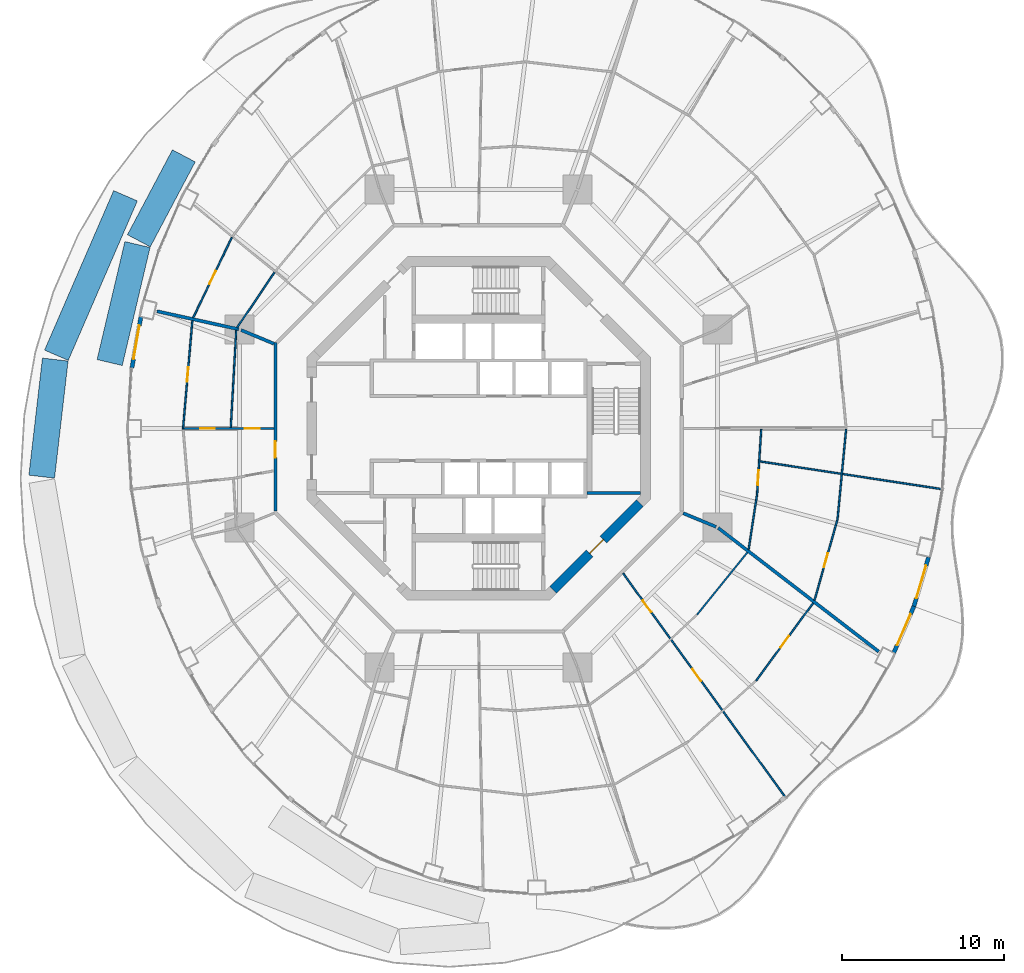
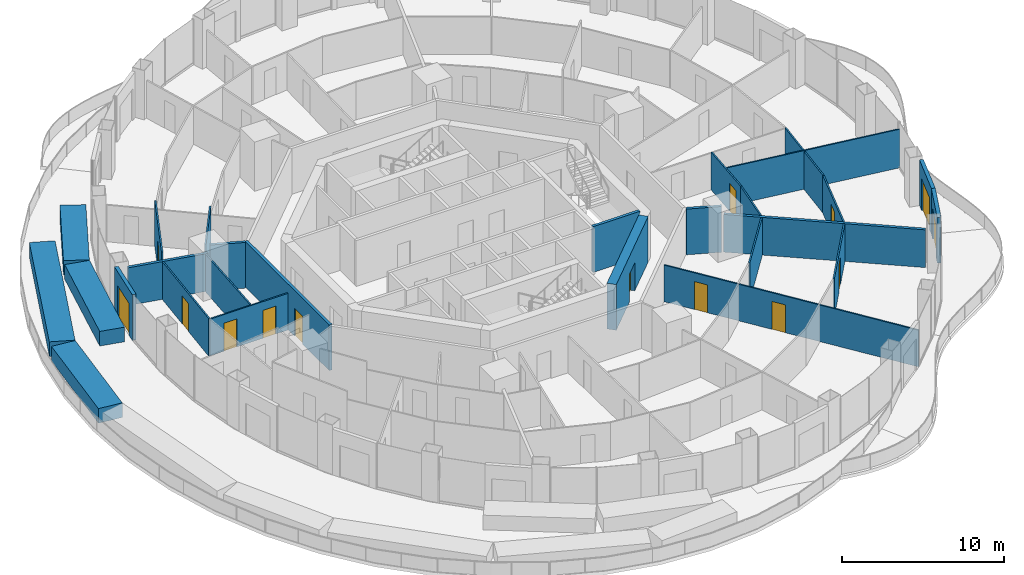
# One storey, part 14 of 20: 27 walls, 14 doors, 14 openings.
"""IFC4 building model written with IfcOpenShell, lengths in metres."""

import ifcopenshell
import ifcopenshell.guid

model = None  # the IFC model being written
_history = None  # IfcOwnerHistory: only IFC2X3 demands one
_inside = {}  # id of a spatial element -> (the spatial element, [elements in it])
_under = {}  # id of a project, library or spatial element -> (it, [spatial elements below it])
_declared = {}  # id of a project -> (the project, [libraries it declares])
_typed = {}  # id of a type object -> (the type object, [elements of that type])
_made_of = {}  # id of a material, layer set ... -> (it, [elements and type objects made of it])


def new_model(schema):
    """Start an empty IFC model of exactly this schema.

    Asked for "IFC4X3", IfcOpenShell would pick the latest addendum, in which some entities
    have other attributes; the version numbers below select the first issue.
    IFC2X3 requires an IfcOwnerHistory on every rooted entity: one is made here for all.
    """
    global model, _history
    if schema == "IFC4X3":
        model = ifcopenshell.file(schema_version=(4, 3, 0, 0))
    else:
        model = ifcopenshell.file(schema=schema)
    _inside.clear()
    _under.clear()
    _declared.clear()
    _typed.clear()
    _made_of.clear()
    _history = None
    if model.schema == "IFC2X3":
        org = make("IfcOrganization", Name="unknown")
        user = make(
            "IfcPersonAndOrganization",
            ThePerson=make("IfcPerson", FamilyName="unknown"),
            TheOrganization=org,
        )
        app = make(
            "IfcApplication",
            ApplicationDeveloper=org,
            Version="unknown",
            ApplicationFullName="unknown",
            ApplicationIdentifier="unknown",
        )
        _history = make(
            "IfcOwnerHistory",
            OwningUser=user,
            OwningApplication=app,
            ChangeAction="ADDED",
            CreationDate=0,
        )
    return model


def make(cls, **values):
    """One entity of the class cls with the attributes given. An attribute that is None is left unset."""
    return model.create_entity(
        cls, **{name: value for name, value in values.items() if value is not None}
    )


def rooted(cls, **values):
    """An entity with a GlobalId (a new one), such as an element, a storey or a relation."""
    return make(cls, GlobalId=ifcopenshell.guid.new(), OwnerHistory=_history, **values)


def si_unit(unit_type, name, prefix=None):
    """IfcSIUnit, for example si_unit("LENGTHUNIT", "METRE", prefix="MILLI")."""
    return make("IfcSIUnit", UnitType=unit_type, Prefix=prefix, Name=name)


def assignment(units):
    """IfcUnitAssignment: the units of a project."""
    return None if units is None else make("IfcUnitAssignment", Units=units)


def point(xyz):
    """IfcCartesianPoint."""
    return None if xyz is None else make("IfcCartesianPoint", Coordinates=xyz)


def direction(xyz):
    """IfcDirection."""
    return None if xyz is None else make("IfcDirection", DirectionRatios=xyz)


def frame(location, z_axis=None, x_axis=None):
    """IfcAxis2Placement3D, a coordinate frame: its origin and axes. An axis left out is left unset."""
    return make(
        "IfcAxis2Placement3D",
        Location=point(location),
        Axis=direction(z_axis),
        RefDirection=direction(x_axis),
    )


def frame_2d(location, x_axis=None):
    """IfcAxis2Placement2D, a coordinate frame in the plane: its origin and x axis."""
    return make(
        "IfcAxis2Placement2D", Location=point(location), RefDirection=direction(x_axis)
    )


def origin():
    """The frame at (0, 0, 0) with its axes left unset."""
    return frame((0.0, 0.0, 0.0))


def place(relative_to, where):
    """IfcLocalPlacement: puts the frame where relative to a parent placement (None: the world)."""
    return make(
        "IfcLocalPlacement", PlacementRelTo=relative_to, RelativePlacement=where
    )


def context(
    kind, dimensions, precision=None, world=None, true_north=None, identifier=None
):
    """IfcGeometricRepresentationContext, for example the 3D "Model" context."""
    return make(
        "IfcGeometricRepresentationContext",
        ContextIdentifier=identifier,
        ContextType=kind,
        CoordinateSpaceDimension=dimensions,
        Precision=precision,
        WorldCoordinateSystem=world,
        TrueNorth=true_north,
    )


def subcontext(parent, identifier, kind, view, scale=None):
    """IfcGeometricRepresentationSubContext, for example "Body" below "Model"."""
    return make(
        "IfcGeometricRepresentationSubContext",
        ContextIdentifier=identifier,
        ContextType=kind,
        ParentContext=parent,
        TargetScale=scale,
        TargetView=view,
    )


def project(units=None, contexts=None):
    """IfcProject with its units and contexts."""
    return rooted(
        "IfcProject",
        Name="project",
        RepresentationContexts=contexts,
        UnitsInContext=assignment(units),
    )


def spatial(cls, under=None, at=None, **own):
    """A site, building, storey or space (cls), placed at a placement, below another one or the project."""
    s = rooted(cls, ObjectPlacement=at, **own)
    if under is not None:
        _under.setdefault(under.id(), (under, []))[1].append(s)
    return s


def polyline(points):
    """IfcPolyline through the points."""
    return make("IfcPolyline", Points=[point(p) for p in points])


def profile(cls, at=None, kind="AREA", **sizes):
    """A parametric profile (cls). Its sizes go by their IFC names, for example OverallWidth=200.0."""
    return make(cls, ProfileType=kind, Position=at, **sizes)


def rectangle(**sizes):
    """IfcRectangleProfileDef."""
    return profile("IfcRectangleProfileDef", **sizes)


def outline(outer, holes=None, kind="AREA"):
    """IfcArbitraryClosedProfileDef: a profile drawn as a closed curve; with holes, ...WithVoids."""
    if holes is None:
        return make("IfcArbitraryClosedProfileDef", ProfileType=kind, OuterCurve=outer)
    return make(
        "IfcArbitraryProfileDefWithVoids",
        ProfileType=kind,
        OuterCurve=outer,
        InnerCurves=holes,
    )


def extrude(swept, where, along, depth):
    """IfcExtrudedAreaSolid: the profile swept, set in the frame where, extruded along a direction by depth."""
    return make(
        "IfcExtrudedAreaSolid",
        SweptArea=swept,
        Position=where,
        ExtrudedDirection=direction(along),
        Depth=depth,
    )


def shape(context_of_items, identifier, shape_type, items):
    """IfcShapeRepresentation: the items that make up one representation, for example the "Body"."""
    return make(
        "IfcShapeRepresentation",
        ContextOfItems=context_of_items,
        RepresentationIdentifier=identifier,
        RepresentationType=shape_type,
        Items=items,
    )


def material(Name=None, Category=None):
    """IfcMaterial."""
    return make("IfcMaterial", Name=Name, Category=Category)


def layer(
    of_material, thickness, ventilated=None, Name=None, Category=None, Priority=None
):
    """IfcMaterialLayer: one layer of a wall or slab, of a material (None: an air gap)."""
    return make(
        "IfcMaterialLayer",
        Material=of_material,
        LayerThickness=thickness,
        IsVentilated=ventilated,
        Name=Name,
        Category=Category,
        Priority=Priority,
    )


def layer_set(layers, Name=None):
    """IfcMaterialLayerSet."""
    return make("IfcMaterialLayerSet", MaterialLayers=layers, LayerSetName=Name)


def made_of(thing, what):
    """Note that an element or type object is made of a material, layer set ...; save() writes the relation."""
    if what is not None:
        _made_of.setdefault(what.id(), (what, []))[1].append(thing)
    return thing


def type_object(cls, material=None, **own):
    """A type object (cls), such as IfcWallType, which elements share."""
    return made_of(rooted(cls, **own), material)


def element(
    cls,
    number,
    at=None,
    inside=None,
    cuts=None,
    type_object=None,
    material=None,
    context=None,
    identifier="Body",
    shape_type=None,
    held_by="IfcProductDefinitionShape",
    body=None,
    shapes=None,
    **own,
):
    """One element of the class cls, such as IfcWall. Its Tag is "e" and its number.

    at: its placement. inside: the storey or other place that contains it. cuts: it is an
    opening in that element (IfcRelVoidsElement). A single representation is given by context,
    identifier, shape_type and body (its items); several are given by shapes. held_by: the class
    of the entity that holds the representations. save() writes the other relations.
    """
    e = rooted(cls, Tag="e%d" % number, ObjectPlacement=at, **own)
    if body is not None:
        shapes = [shape(context, identifier, shape_type, body)]
    if shapes is not None:
        e.Representation = make(held_by, Representations=shapes)
    if inside is not None:
        _inside.setdefault(inside.id(), (inside, []))[1].append(e)
    if cuts is not None:
        rooted(
            "IfcRelVoidsElement", RelatingBuildingElement=cuts, RelatedOpeningElement=e
        )
    if type_object is not None:
        _typed.setdefault(type_object.id(), (type_object, []))[1].append(e)
    return made_of(e, material)


def fill(opening, filler):
    """IfcRelFillsElement: the door or window that sits in an opening."""
    return rooted(
        "IfcRelFillsElement",
        RelatingOpeningElement=opening,
        RelatedBuildingElement=filler,
    )


def aggregate(whole, parts):
    """IfcRelAggregates: a whole, such as a stair, and the parts it consists of."""
    return rooted("IfcRelAggregates", RelatingObject=whole, RelatedObjects=parts)


def save(model, path):
    """Write the relations noted so far, then the file.

    IfcRelAggregates (storeys below a building ...), IfcRelContainedInSpatialStructure (elements
    in a storey), IfcRelDefinesByType, IfcRelAssociatesMaterial and IfcRelDeclares: one each for
    every whole, place, type object, material and project.
    """
    for whole, parts in _under.values():
        aggregate(whole, parts)
    for where, things in _inside.values():
        rooted(
            "IfcRelContainedInSpatialStructure",
            RelatedElements=things,
            RelatingStructure=where,
        )
    for kind, things in _typed.values():
        rooted("IfcRelDefinesByType", RelatedObjects=things, RelatingType=kind)
    for what, things in _made_of.values():
        rooted("IfcRelAssociatesMaterial", RelatedObjects=things, RelatingMaterial=what)
    for by, libraries in _declared.values():
        rooted("IfcRelDeclares", RelatingContext=by, RelatedDefinitions=libraries)
    model.write(path)


model = new_model("IFC4")

# Units and contexts
model_context = context("Model", 3, precision=1e-05, world=origin(), true_north=direction((0.0, 1.0)))
body_context = subcontext(model_context, "Body", "Model", "MODEL_VIEW")
ifc_project = project(units=[si_unit("LENGTHUNIT", "METRE"), si_unit("AREAUNIT", "SQUARE_METRE"), si_unit("VOLUMEUNIT", "CUBIC_METRE"), si_unit("PLANEANGLEUNIT", "RADIAN"), si_unit("MASSUNIT", "GRAM", prefix="KILO")], contexts=[model_context])

# Site, building, storey
site_placement = place(None, origin())
site = spatial("IfcSite", under=ifc_project, at=site_placement, CompositionType="ELEMENT")
building_placement = place(site_placement, origin())
building = spatial("IfcBuilding", under=site, at=building_placement, Name="Nagisa Residences", CompositionType="ELEMENT")
storey_placement = place(building_placement, frame((0.0, 0.0, 165.89990234375)))
storey = spatial("IfcBuildingStorey", under=building, at=storey_placement, Name="L41", CompositionType="ELEMENT", Elevation=165.89990234375)

# Walls
ifc_material_1 = material(Name="Gypsum board on steel studs", Category="steel")
ifc_layer_1 = layer(ifc_material_1, 0.199951171875)
ifc_layer_set_1 = layer_set([ifc_layer_1], Name="Apartment compartment wall EI60 200")
wall_type_1 = type_object("IfcWallType", Name="Apartment compartment wall EI60 200", PredefinedType="PARTITIONING", material=ifc_layer_set_1)
wall_1_placement = place(storey_placement, frame((-12.6572265625, 5.24267578125, 0.0), z_axis=(0.0, 0.0, 1.0), x_axis=(-0.923859888513, 0.38273085373, 0.0)))
element("IfcWall", 1, at=wall_1_placement, inside=storey, type_object=wall_type_1, Name="wall:L41:u02", PredefinedType="PARTITIONING", context=body_context, shape_type="SweptSolid", body=[
    extrude(rectangle(XDim=2.199462890625, YDim=0.199951171875, at=frame_2d((1.099609375, 0.0))), origin(), (0.0, 0.0, 1.0), 3.440185546875),
])
wall_2_placement = place(storey_placement, frame((-14.830810546875, 6.133544921875, 0.0), z_axis=(0.0, 0.0, 1.0), x_axis=(-0.976568396888, 0.215207263354, 0.0)))
element("IfcWall", 2, at=wall_2_placement, inside=storey, type_object=wall_type_1, Name="wall:L41:u03", PredefinedType="PARTITIONING", context=body_context, shape_type="SweptSolid", body=[
    extrude(rectangle(XDim=5.176513671875, YDim=0.199951171875, at=frame_2d((2.58837890625, 0.0))), origin(), (0.0, 0.0, 1.0), 2.837158203125),
])
wall_3_placement = place(storey_placement, frame((12.6572265625, -5.24267578125, 0.0), z_axis=(0.0, 0.0, 1.0), x_axis=(0.92383017907, -0.382802560388, 0.0)))
element("IfcWall", 3, at=wall_3_placement, inside=storey, type_object=wall_type_1, Name="wall:L41:u06", PredefinedType="PARTITIONING", context=body_context, shape_type="SweptSolid", body=[
    extrude(rectangle(XDim=2.2001953125, YDim=0.199951171875, at=frame_2d((1.10009765625, 0.0))), origin(), (0.0, 0.0, 1.0), 3.440185546875),
])
wall_4_placement = place(storey_placement, frame((14.82177734375, -6.153564453125, 0.0), z_axis=(0.0, 0.0, 1.0), x_axis=(0.792203056092, -0.610257583254, 0.0)))
element("IfcWall", 4, at=wall_4_placement, inside=storey, type_object=wall_type_1, Name="wall:L41:u07", PredefinedType="PARTITIONING", context=body_context, shape_type="SweptSolid", body=[
    extrude(rectangle(XDim=12.53271484375, YDim=0.199951171875, at=frame_2d((6.266357421875, 0.0))), origin(), (0.0, 0.0, 1.0), 2.837158203125),
])

# Wall, opening, door
ifc_material_2 = material(Name="Gypsum board on steel studs", Category="steel")
ifc_layer_2 = layer(ifc_material_2, 0.199951171875)
ifc_layer_set_2 = layer_set([ifc_layer_2], Name="Apartment entry wall EI60 200")
wall_type_2 = type_object("IfcWallType", Name="Apartment entry wall EI60 200", PredefinedType="PARTITIONING", material=ifc_layer_set_2)
wall_5_placement = place(storey_placement, frame((-12.564697265625, 5.304443359375, 0.0), z_axis=(0.0, 0.0, 1.0), x_axis=(0.0, -1.0, 0.0)))
wall_5 = element("IfcWall", 5, at=wall_5_placement, inside=storey, type_object=wall_type_2, Name="wall:L41:u12", PredefinedType="PARTITIONING", context=body_context, shape_type="SweptSolid", body=[
    extrude(rectangle(XDim=10.408935546875, YDim=0.199951171875, at=frame_2d((5.20458984375, 0.0))), origin(), (0.0, 0.0, 1.0), 3.440185546875),
])
opening_1_placement = place(wall_5_placement, frame((6.105712890625, 0.0, 0.0)))
opening_1 = element("IfcOpeningElement", 6, at=opening_1_placement, cuts=wall_5, Name="Opening L41-U28", PredefinedType="OPENING", context=body_context, shape_type="SweptSolid", body=[
    extrude(rectangle(XDim=1.0, YDim=2.10009765625, at=frame_2d((0.5, 1.050048828125))), frame((0.0, 0.10986328125, 0.0), z_axis=(0.0, -1.0, 0.0), x_axis=(1.0, 0.0, 0.0)), (0.0, 0.0, 1.0), 0.219970703125),
])
ifc_material_3 = material(Name="Timber fire door set", Category="wood")
door_type_1 = type_object("IfcDoorType", Name="Apartment entry door FD30S 1000x2100", OperationType="NOTDEFINED", PredefinedType="DOOR", material=ifc_material_3)
door_1_placement = place(opening_1_placement, frame((1.0, 0.0, 0.0), x_axis=(-1.0, 0.0, 0.0)))
door_1 = element("IfcDoor", 7, at=door_1_placement, inside=storey, type_object=door_type_1, Name="Entry door, Apartment 41C", OperationType="SINGLE_SWING_LEFT", OverallHeight=2.10009765625, OverallWidth=1.0, PredefinedType="DOOR", context=body_context, shape_type="SweptSolid", body=[
    extrude(rectangle(XDim=1.0, YDim=2.10009765625, at=frame_2d((0.5, 1.050048828125))), frame((0.0, 0.02490234375, 0.0), z_axis=(0.0, -1.0, 0.0), x_axis=(1.0, 0.0, 0.0)), (0.0, 0.0, 1.0), 0.050048828125),
])
fill(opening_1, door_1)

ifc_material_4 = material(Name="Gypsum board on steel studs", Category="steel")
ifc_layer_3 = layer(ifc_material_4, 0.10009765625)
ifc_layer_set_3 = layer_set([ifc_layer_3], Name="Apartment partition 100")
wall_type_3 = type_object("IfcWallType", Name="Apartment partition 100", PredefinedType="PARTITIONING", material=ifc_layer_set_3)
wall_6_placement = place(storey_placement, frame((17.484619140625, -0.0498046875, 0.0), z_axis=(0.0, 0.0, 1.0), x_axis=(-0.063673473968, -0.997970785501, 0.0)))
wall_6 = element("IfcWall", 8, at=wall_6_placement, inside=storey, type_object=wall_type_3, Name="wall:L41:u17", PredefinedType="PARTITIONING", context=body_context, shape_type="SweptSolid", body=[
    extrude(rectangle(XDim=4.072021484375, YDim=0.10009765625, at=frame_2d((2.0361328125, 0.0))), origin(), (0.0, 0.0, 1.0), 2.837158203125),
])
opening_2_placement = place(wall_6_placement, frame((2.553955078125, 0.0, 0.0)))
opening_2 = element("IfcOpeningElement", 9, at=opening_2_placement, cuts=wall_6, Name="Opening L41-U04", PredefinedType="OPENING", context=body_context, shape_type="SweptSolid", body=[
    extrude(rectangle(XDim=0.89990234375, YDim=2.10009765625, at=frame_2d((0.449951171875, 1.050048828125))), frame((0.0, 0.06005859375, 0.0), z_axis=(0.0, -1.0, 0.0), x_axis=(1.0, 0.0, 0.0)), (0.0, 0.0, 1.0), 0.1201171875),
])
ifc_material_5 = material(Name="Timber door set", Category="wood")
door_type_2 = type_object("IfcDoorType", Name="Apartment door 900x2100", OperationType="NOTDEFINED", PredefinedType="DOOR", material=ifc_material_5)
door_2_placement = place(opening_2_placement, origin())
door_2 = element("IfcDoor", 10, at=door_2_placement, inside=storey, type_object=door_type_2, Name="Door to kitchen, Apartment 41A", OperationType="SINGLE_SWING_RIGHT", OverallHeight=2.10009765625, OverallWidth=0.89990234375, PredefinedType="DOOR", context=body_context, shape_type="SweptSolid", body=[
    extrude(rectangle(XDim=0.89990234375, YDim=2.10009765625, at=frame_2d((0.449951171875, 1.050048828125))), frame((0.0, 0.02490234375, 0.0), z_axis=(0.0, -1.0, 0.0), x_axis=(1.0, 0.0, 0.0)), (0.0, 0.0, 1.0), 0.050048828125),
])
fill(opening_2, door_2)

# Walls
wall_7_placement = place(storey_placement, frame((22.734375, -0.0498046875, 0.0), z_axis=(0.0, 0.0, 1.0), x_axis=(-0.0949274088, -0.995484197292, 0.0)))
element("IfcWall", 11, at=wall_7_placement, inside=storey, type_object=wall_type_3, Name="wall:L41:u19", PredefinedType="PARTITIONING", context=body_context, shape_type="SweptSolid", body=[
    extrude(rectangle(XDim=5.647705078125, YDim=0.10009765625, at=frame_2d((2.82373046875, 0.0))), origin(), (0.0, 0.0, 1.0), 2.837158203125),
])
wall_8_placement = place(storey_placement, frame((-12.61865234375, 9.650390625, 0.0), z_axis=(0.0, 0.0, 1.0), x_axis=(-0.561046521684, -0.82778427172, 0.0)))
element("IfcWall", 12, at=wall_8_placement, inside=storey, type_object=wall_type_3, Name="wall:L41:u51", PredefinedType="PARTITIONING", context=body_context, shape_type="SweptSolid", body=[
    extrude(rectangle(XDim=4.108642578125, YDim=0.10009765625, at=frame_2d((2.05419921875, 0.0))), origin(), (0.0, 0.0, 1.0), 3.440185546875),
])

# Wall, opening, door
wall_9_placement = place(storey_placement, frame((-15.2568359375, 11.816162109375, 0.0), z_axis=(0.0, 0.0, 1.0), x_axis=(-0.434027506504, -0.900899619046, 0.0)))
wall_9 = element("IfcWall", 13, at=wall_9_placement, inside=storey, type_object=wall_type_3, Name="wall:L41:u52", PredefinedType="PARTITIONING", context=body_context, shape_type="SweptSolid", body=[
    extrude(rectangle(XDim=5.508056640625, YDim=0.10009765625, at=frame_2d((2.75390625, 0.0))), origin(), (0.0, 0.0, 1.0), 3.440185546875),
])
opening_3_placement = place(wall_9_placement, frame((2.303955078125, 0.0, 0.0)))
opening_3 = element("IfcOpeningElement", 14, at=opening_3_placement, cuts=wall_9, Name="Opening L41-U25", PredefinedType="OPENING", context=body_context, shape_type="SweptSolid", body=[
    extrude(rectangle(XDim=0.89990234375, YDim=2.10009765625, at=frame_2d((0.449951171875, 1.050048828125))), frame((0.0, 0.06005859375, 0.0), z_axis=(0.0, -1.0, 0.0), x_axis=(1.0, 0.0, 0.0)), (0.0, 0.0, 1.0), 0.1201171875),
])
door_3_placement = place(opening_3_placement, origin())
door_3 = element("IfcDoor", 15, at=door_3_placement, inside=storey, type_object=door_type_2, Name="Door to en-suite bathroom, Apartment 41B", OperationType="SINGLE_SWING_LEFT", OverallHeight=2.10009765625, OverallWidth=0.89990234375, PredefinedType="DOOR", context=body_context, shape_type="SweptSolid", body=[
    extrude(rectangle(XDim=0.89990234375, YDim=2.10009765625, at=frame_2d((0.449951171875, 1.050048828125))), frame((0.0, 0.02490234375, 0.0), z_axis=(0.0, -1.0, 0.0), x_axis=(1.0, 0.0, 0.0)), (0.0, 0.0, 1.0), 0.050048828125),
])
fill(opening_3, door_3)

# Wall
wall_10_placement = place(storey_placement, frame((-14.985595703125, 6.066650390625, 0.0), z_axis=(0.0, 0.0, 1.0), x_axis=(-0.056311398802, -0.998413254302, 0.0)))
element("IfcWall", 16, at=wall_10_placement, inside=storey, type_object=wall_type_3, Name="wall:L41:u53", PredefinedType="PARTITIONING", context=body_context, shape_type="SweptSolid", body=[
    extrude(rectangle(XDim=6.0263671875, YDim=0.10009765625, at=frame_2d((3.01318359375, 0.0))), origin(), (0.0, 0.0, 1.0), 2.837158203125),
])

# Wall, opening, door
wall_11_placement = place(storey_placement, frame((-17.69970703125, 6.664306640625, 0.0), z_axis=(0.0, 0.0, 1.0), x_axis=(-0.086004282666, -0.996294767307, 0.0)))
wall_11 = element("IfcWall", 17, at=wall_11_placement, inside=storey, type_object=wall_type_3, Name="wall:L41:u54", PredefinedType="PARTITIONING", context=body_context, shape_type="SweptSolid", body=[
    extrude(rectangle(XDim=6.739013671875, YDim=0.10009765625, at=frame_2d((3.36962890625, 0.0))), origin(), (0.0, 0.0, 1.0), 2.837158203125),
])
opening_4_placement = place(wall_11_placement, frame((2.89453125, 0.0, 0.0)))
opening_4 = element("IfcOpeningElement", 18, at=opening_4_placement, cuts=wall_11, Name="Opening L41-U33", PredefinedType="OPENING", context=body_context, shape_type="SweptSolid", body=[
    extrude(rectangle(XDim=0.89990234375, YDim=2.10009765625, at=frame_2d((0.449951171875, 1.050048828125))), frame((0.0, 0.06005859375, 0.0), z_axis=(0.0, -1.0, 0.0), x_axis=(1.0, 0.0, 0.0)), (0.0, 0.0, 1.0), 0.1201171875),
])
door_4_placement = place(opening_4_placement, frame((0.89990234375, 0.0, 0.0), x_axis=(-1.0, 0.0, 0.0)))
door_4 = element("IfcDoor", 19, at=door_4_placement, inside=storey, type_object=door_type_2, Name="Door to bedroom, Apartment 41C", OperationType="SINGLE_SWING_RIGHT", OverallHeight=2.10009765625, OverallWidth=0.89990234375, PredefinedType="DOOR", context=body_context, shape_type="SweptSolid", body=[
    extrude(rectangle(XDim=0.89990234375, YDim=2.10009765625, at=frame_2d((0.449951171875, 1.050048828125))), frame((0.0, 0.02490234375, 0.0), z_axis=(0.0, -1.0, 0.0), x_axis=(1.0, 0.0, 0.0)), (0.0, 0.0, 1.0), 0.050048828125),
])
fill(opening_4, door_4)

# Wall, openings, doors
wall_12_placement = place(storey_placement, frame((-12.664794921875, 0.0, 0.0), z_axis=(0.0, 0.0, 1.0), x_axis=(-1.0, 0.0, 0.0)))
wall_12 = element("IfcWall", 20, at=wall_12_placement, inside=storey, type_object=wall_type_3, Name="wall:L41:u55", PredefinedType="PARTITIONING", context=body_context, shape_type="SweptSolid", body=[
    extrude(rectangle(XDim=5.560302734375, YDim=0.10009765625, at=frame_2d((2.7802734375, 0.0))), origin(), (0.0, 0.0, 1.0), 2.756103515625),
])
opening_5_placement = place(wall_12_placement, frame((0.881591796875, 0.0, 0.0)))
opening_5 = element("IfcOpeningElement", 21, at=opening_5_placement, cuts=wall_12, Name="Opening L41-U29", PredefinedType="OPENING", context=body_context, shape_type="SweptSolid", body=[
    extrude(rectangle(XDim=0.89990234375, YDim=2.10009765625, at=frame_2d((0.449951171875, 1.050048828125))), frame((0.0, 0.06005859375, 0.0), z_axis=(0.0, -1.0, 0.0), x_axis=(1.0, 0.0, 0.0)), (0.0, 0.0, 1.0), 0.1201171875),
])
opening_6_placement = place(wall_12_placement, frame((3.66162109375, 0.0, 0.0)))
opening_6 = element("IfcOpeningElement", 22, at=opening_6_placement, cuts=wall_12, Name="Opening L41-U31", PredefinedType="OPENING", context=body_context, shape_type="SweptSolid", body=[
    extrude(rectangle(XDim=0.89990234375, YDim=2.10009765625, at=frame_2d((0.449951171875, 1.050048828125))), frame((0.0, 0.06005859375, 0.0), z_axis=(0.0, -1.0, 0.0), x_axis=(1.0, 0.0, 0.0)), (0.0, 0.0, 1.0), 0.1201171875),
])
door_5_placement = place(opening_5_placement, frame((0.89990234375, 0.0, 0.0), x_axis=(-1.0, 0.0, 0.0)))
door_5 = element("IfcDoor", 23, at=door_5_placement, inside=storey, type_object=door_type_2, Name="Door to laundry, Apartment 41C", OperationType="SINGLE_SWING_RIGHT", OverallHeight=2.10009765625, OverallWidth=0.89990234375, PredefinedType="DOOR", context=body_context, shape_type="SweptSolid", body=[
    extrude(rectangle(XDim=0.89990234375, YDim=2.10009765625, at=frame_2d((0.449951171875, 1.050048828125))), frame((0.0, 0.02490234375, 0.0), z_axis=(0.0, -1.0, 0.0), x_axis=(1.0, 0.0, 0.0)), (0.0, 0.0, 1.0), 0.050048828125),
])
fill(opening_5, door_5)
door_6_placement = place(opening_6_placement, frame((0.89990234375, 0.0, 0.0), x_axis=(-1.0, 0.0, 0.0)))
door_6 = element("IfcDoor", 24, at=door_6_placement, inside=storey, type_object=door_type_2, Name="Door to study, Apartment 41C", OperationType="SINGLE_SWING_RIGHT", OverallHeight=2.10009765625, OverallWidth=0.89990234375, PredefinedType="DOOR", context=body_context, shape_type="SweptSolid", body=[
    extrude(rectangle(XDim=0.89990234375, YDim=2.10009765625, at=frame_2d((0.449951171875, 1.050048828125))), frame((0.0, 0.02490234375, 0.0), z_axis=(0.0, -1.0, 0.0), x_axis=(1.0, 0.0, 0.0)), (0.0, 0.0, 1.0), 0.050048828125),
])
fill(opening_6, door_6)

wall_13_placement = place(storey_placement, frame((8.943359375, -8.965576171875, 0.0), z_axis=(0.0, 0.0, 1.0), x_axis=(0.586803608919, -0.809729290912, 0.0)))
wall_13 = element("IfcWall", 25, at=wall_13_placement, inside=storey, type_object=wall_type_3, Name="wall:L41:u84", PredefinedType="PARTITIONING", context=body_context, shape_type="SweptSolid", body=[
    extrude(rectangle(XDim=17.1787109375, YDim=0.10009765625, at=frame_2d((8.58935546875, 0.0))), origin(), (0.0, 0.0, 1.0), 2.756103515625),
])
opening_7_placement = place(wall_13_placement, frame((2.0625, 0.0, 0.0)))
opening_7 = element("IfcOpeningElement", 26, at=opening_7_placement, cuts=wall_13, Name="Opening L41-U44", PredefinedType="OPENING", context=body_context, shape_type="SweptSolid", body=[
    extrude(rectangle(XDim=0.89990234375, YDim=2.10009765625, at=frame_2d((0.449951171875, 1.050048828125))), frame((0.0, 0.06005859375, 0.0), z_axis=(0.0, -1.0, 0.0), x_axis=(1.0, 0.0, 0.0)), (0.0, 0.0, 1.0), 0.1201171875),
])
opening_8_placement = place(wall_13_placement, frame((7.307861328125, 0.0, 0.0)))
opening_8 = element("IfcOpeningElement", 27, at=opening_8_placement, cuts=wall_13, Name="Opening L41-U48", PredefinedType="OPENING", context=body_context, shape_type="SweptSolid", body=[
    extrude(rectangle(XDim=0.89990234375, YDim=2.10009765625, at=frame_2d((0.449951171875, 1.050048828125))), frame((0.0, 0.06005859375, 0.0), z_axis=(0.0, -1.0, 0.0), x_axis=(1.0, 0.0, 0.0)), (0.0, 0.0, 1.0), 0.1201171875),
])
door_7_placement = place(opening_7_placement, origin())
door_7 = element("IfcDoor", 28, at=door_7_placement, inside=storey, type_object=door_type_2, Name="Door to laundry, Apartment 41D", OperationType="SINGLE_SWING_RIGHT", OverallHeight=2.10009765625, OverallWidth=0.89990234375, PredefinedType="DOOR", context=body_context, shape_type="SweptSolid", body=[
    extrude(rectangle(XDim=0.89990234375, YDim=2.10009765625, at=frame_2d((0.449951171875, 1.050048828125))), frame((0.0, 0.02490234375, 0.0), z_axis=(0.0, -1.0, 0.0), x_axis=(1.0, 0.0, 0.0)), (0.0, 0.0, 1.0), 0.050048828125),
])
fill(opening_7, door_7)
door_8_placement = place(opening_8_placement, origin())
door_8 = element("IfcDoor", 29, at=door_8_placement, inside=storey, type_object=door_type_2, Name="Door to kitchen, Apartment 41D", OperationType="SINGLE_SWING_RIGHT", OverallHeight=2.10009765625, OverallWidth=0.89990234375, PredefinedType="DOOR", context=body_context, shape_type="SweptSolid", body=[
    extrude(rectangle(XDim=0.89990234375, YDim=2.10009765625, at=frame_2d((0.449951171875, 1.050048828125))), frame((0.0, 0.02490234375, 0.0), z_axis=(0.0, -1.0, 0.0), x_axis=(1.0, 0.0, 0.0)), (0.0, 0.0, 1.0), 0.050048828125),
])
fill(opening_8, door_8)

# Wall
wall_14_placement = place(storey_placement, frame((13.50927734375, -11.524658203125, 0.0), z_axis=(0.0, 0.0, 1.0), x_axis=(0.628764602857, 0.777595700987, 0.0)))
element("IfcWall", 30, at=wall_14_placement, inside=storey, type_object=wall_type_3, Name="wall:L41:u85", PredefinedType="PARTITIONING", context=body_context, shape_type="SweptSolid", body=[
    extrude(rectangle(XDim=4.957275390625, YDim=0.10009765625, at=frame_2d((2.478515625, 0.0))), origin(), (0.0, 0.0, 1.0), 2.837158203125),
])

# Wall, opening, door
wall_15_placement = place(storey_placement, frame((17.169189453125, -15.609375, 0.0), z_axis=(0.0, 0.0, 1.0), x_axis=(0.591122127251, 0.806582066918, 0.0)))
wall_15 = element("IfcWall", 31, at=wall_15_placement, inside=storey, type_object=wall_type_3, Name="wall:L41:u86", PredefinedType="PARTITIONING", context=body_context, shape_type="SweptSolid", body=[
    extrude(rectangle(XDim=5.960205078125, YDim=0.10009765625, at=frame_2d((2.97998046875, 0.0))), origin(), (0.0, 0.0, 1.0), 2.837158203125),
])
opening_9_placement = place(wall_15_placement, frame((2.554931640625, 0.0, 0.0)))
opening_9 = element("IfcOpeningElement", 32, at=opening_9_placement, cuts=wall_15, Name="Opening L41-U52", PredefinedType="OPENING", context=body_context, shape_type="SweptSolid", body=[
    extrude(rectangle(XDim=0.89990234375, YDim=2.10009765625, at=frame_2d((0.449951171875, 1.050048828125))), frame((0.0, 0.06005859375, 0.0), z_axis=(0.0, -1.0, 0.0), x_axis=(1.0, 0.0, 0.0)), (0.0, 0.0, 1.0), 0.1201171875),
])
door_9_placement = place(opening_9_placement, frame((0.89990234375, 0.0, 0.0), x_axis=(-1.0, 0.0, 0.0)))
door_9 = element("IfcDoor", 33, at=door_9_placement, inside=storey, type_object=door_type_2, Name="Door to family room, Apartment 41D", OperationType="SINGLE_SWING_LEFT", OverallHeight=2.10009765625, OverallWidth=0.89990234375, PredefinedType="DOOR", context=body_context, shape_type="SweptSolid", body=[
    extrude(rectangle(XDim=0.89990234375, YDim=2.10009765625, at=frame_2d((0.449951171875, 1.050048828125))), frame((0.0, 0.02490234375, 0.0), z_axis=(0.0, -1.0, 0.0), x_axis=(1.0, 0.0, 0.0)), (0.0, 0.0, 1.0), 0.050048828125),
])
fill(opening_9, door_9)

# Wall
wall_16_placement = place(storey_placement, frame((16.704345703125, -7.4931640625, 0.0), z_axis=(0.0, 0.0, 1.0), x_axis=(0.1510806336, 0.988521442434, 0.0)))
element("IfcWall", 34, at=wall_16_placement, inside=storey, type_object=wall_type_3, Name="wall:L41:u87", PredefinedType="PARTITIONING", context=body_context, shape_type="SweptSolid", body=[
    extrude(rectangle(XDim=3.41943359375, YDim=0.10009765625, at=frame_2d((1.709716796875, 0.0))), origin(), (0.0, 0.0, 1.0), 2.837158203125),
])

# Wall, opening, door
wall_17_placement = place(storey_placement, frame((20.77880859375, -10.625244140625, 0.0), z_axis=(0.0, 0.0, 1.0), x_axis=(0.273819702124, 0.961781040949, 0.0)))
wall_17 = element("IfcWall", 35, at=wall_17_placement, inside=storey, type_object=wall_type_3, Name="wall:L41:u88", PredefinedType="PARTITIONING", context=body_context, shape_type="SweptSolid", body=[
    extrude(rectangle(XDim=5.151611328125, YDim=0.10009765625, at=frame_2d((2.57568359375, 0.0))), origin(), (0.0, 0.0, 1.0), 2.837158203125),
])
opening_10_placement = place(wall_17_placement, frame((2.125732421875, 0.0, 0.0)))
opening_10 = element("IfcOpeningElement", 36, at=opening_10_placement, cuts=wall_17, Name="Opening L41-U08", PredefinedType="OPENING", context=body_context, shape_type="SweptSolid", body=[
    extrude(rectangle(XDim=0.89990234375, YDim=2.10009765625, at=frame_2d((0.449951171875, 1.050048828125))), frame((0.0, 0.06005859375, 0.0), z_axis=(0.0, -1.0, 0.0), x_axis=(1.0, 0.0, 0.0)), (0.0, 0.0, 1.0), 0.1201171875),
])
door_10_placement = place(opening_10_placement, frame((0.89990234375, 0.0, 0.0), x_axis=(-1.0, 0.0, 0.0)))
door_10 = element("IfcDoor", 37, at=door_10_placement, inside=storey, type_object=door_type_2, Name="Door to master bedroom, Apartment 41A", OperationType="SINGLE_SWING_LEFT", OverallHeight=2.10009765625, OverallWidth=0.89990234375, PredefinedType="DOOR", context=body_context, shape_type="SweptSolid", body=[
    extrude(rectangle(XDim=0.89990234375, YDim=2.10009765625, at=frame_2d((0.449951171875, 1.050048828125))), frame((0.0, 0.02490234375, 0.0), z_axis=(0.0, -1.0, 0.0), x_axis=(1.0, 0.0, 0.0)), (0.0, 0.0, 1.0), 0.050048828125),
])
fill(opening_10, door_10)

# Wall
wall_18_placement = place(storey_placement, frame((17.407470703125, -2.039306640625, 0.0), z_axis=(0.0, 0.0, 1.0), x_axis=(0.98858728603, -0.150649188184, 0.0)))
element("IfcWall", 38, at=wall_18_placement, inside=storey, type_object=wall_type_3, Name="wall:L41:u89", PredefinedType="PARTITIONING", context=body_context, shape_type="SweptSolid", body=[
    extrude(rectangle(XDim=11.44140625, YDim=0.10009765625, at=frame_2d((5.720703125, 0.0))), origin(), (0.0, 0.0, 1.0), 2.905029296875),
])

# Wall, opening, door
ifc_material_6 = material(Name="Precast concrete C40/50", Category="concrete")
ifc_layer_4 = layer(ifc_material_6, 0.25)
ifc_layer_set_4 = layer_set([ifc_layer_4], Name="BALCONY DOOR WALL 250")
wall_type_4 = type_object("IfcWallType", Name="BALCONY DOOR WALL 250", PredefinedType="SOLIDWALL", material=ifc_layer_set_4)
wall_19_placement = place(storey_placement, frame((-21.434814453125, 3.747314453125, 0.0), z_axis=(0.0, 0.0, 1.0), x_axis=(0.172223552479, 0.98505789067, 0.0)))
wall_19 = element("IfcWall", 39, at=wall_19_placement, inside=storey, type_object=wall_type_4, Name="wall:L41:bay22", PredefinedType="SOLIDWALL", context=body_context, shape_type="SweptSolid", body=[
    extrude(rectangle(XDim=3.2109375, YDim=0.25, at=frame_2d((1.60546875, 0.0))), origin(), (0.0, 0.0, 1.0), 3.440185546875),
])
opening_11_placement = place(wall_19_placement, frame((0.555419921875, 0.0, 0.0)))
opening_11 = element("IfcOpeningElement", 40, at=opening_11_placement, cuts=wall_19, Name="Opening BD-L41-08", PredefinedType="OPENING", context=body_context, shape_type="SweptSolid", body=[
    extrude(rectangle(XDim=2.10009765625, YDim=2.39990234375, at=frame_2d((1.050048828125, 1.199951171875))), frame((0.0, 0.135009765625, 0.0), z_axis=(0.0, -1.0, 0.0), x_axis=(1.0, 0.0, 0.0)), (0.0, 0.0, 1.0), 0.27001953125),
])
ifc_material_7 = material(Name="Aluminium and clear glass", Category="aluminium")
door_type_3 = type_object("IfcDoorType", Name="BALCONY SLIDING DOOR 2100x2400", OperationType="SLIDING_TO_LEFT", PredefinedType="DOOR", material=ifc_material_7)
door_11_placement = place(opening_11_placement, origin())
door_11 = element("IfcDoor", 41, at=door_11_placement, inside=storey, type_object=door_type_3, Name="door:L41:bay22", OperationType="SLIDING_TO_LEFT", OverallHeight=2.39990234375, OverallWidth=2.10009765625, PredefinedType="DOOR", context=body_context, shape_type="SweptSolid", body=[
    extrude(rectangle(XDim=2.10009765625, YDim=2.39990234375, at=frame_2d((1.050048828125, 1.199951171875))), frame((0.0, 0.02490234375, 0.0), z_axis=(0.0, -1.0, 0.0), x_axis=(1.0, 0.0, 0.0)), (0.0, 0.0, 1.0), 0.050048828125),
])
fill(opening_11, door_11)

wall_20_placement = place(storey_placement, frame((26.9287109375, -11.000244140625, 0.0), z_axis=(0.0, 0.0, 1.0), x_axis=(-0.397620521824, -0.917549955384, 0.0)))
wall_20 = element("IfcWall", 42, at=wall_20_placement, inside=storey, type_object=wall_type_4, Name="wall:L41:bay44", PredefinedType="SOLIDWALL", context=body_context, shape_type="SweptSolid", body=[
    extrude(rectangle(XDim=3.141845703125, YDim=0.25, at=frame_2d((1.57080078125, 0.0))), origin(), (0.0, 0.0, 1.0), 3.440185546875),
])
opening_12_placement = place(wall_20_placement, frame((0.52099609375, 0.0, 0.0)))
opening_12 = element("IfcOpeningElement", 43, at=opening_12_placement, cuts=wall_20, Name="Opening BD-L41-15", PredefinedType="OPENING", context=body_context, shape_type="SweptSolid", body=[
    extrude(rectangle(XDim=2.10009765625, YDim=2.39990234375, at=frame_2d((1.050048828125, 1.199951171875))), frame((0.0, 0.135009765625, 0.0), z_axis=(0.0, -1.0, 0.0), x_axis=(1.0, 0.0, 0.0)), (0.0, 0.0, 1.0), 0.27001953125),
])
door_12_placement = place(opening_12_placement, origin())
door_12 = element("IfcDoor", 44, at=door_12_placement, inside=storey, type_object=door_type_3, Name="door:L41:bay44", OperationType="SLIDING_TO_LEFT", OverallHeight=2.39990234375, OverallWidth=2.10009765625, PredefinedType="DOOR", context=body_context, shape_type="SweptSolid", body=[
    extrude(rectangle(XDim=2.10009765625, YDim=2.39990234375, at=frame_2d((1.050048828125, 1.199951171875))), frame((0.0, 0.02490234375, 0.0), z_axis=(0.0, -1.0, 0.0), x_axis=(1.0, 0.0, 0.0)), (0.0, 0.0, 1.0), 0.050048828125),
])
fill(opening_12, door_12)

wall_21_placement = place(storey_placement, frame((27.833251953125, -7.964599609375, 0.0), z_axis=(0.0, 0.0, 1.0), x_axis=(-0.28584838049, -0.958274857946, 0.0)))
wall_21 = element("IfcWall", 45, at=wall_21_placement, inside=storey, type_object=wall_type_4, Name="wall:L41:bay45", PredefinedType="SOLIDWALL", context=body_context, shape_type="SweptSolid", body=[
    extrude(rectangle(XDim=3.182373046875, YDim=0.25, at=frame_2d((1.59130859375, 0.0))), origin(), (0.0, 0.0, 1.0), 3.440185546875),
])
opening_13_placement = place(wall_21_placement, frame((0.541259765625, 0.0, 0.0)))
opening_13 = element("IfcOpeningElement", 46, at=opening_13_placement, cuts=wall_21, Name="Opening BD-L41-16", PredefinedType="OPENING", context=body_context, shape_type="SweptSolid", body=[
    extrude(rectangle(XDim=2.10009765625, YDim=2.39990234375, at=frame_2d((1.050048828125, 1.199951171875))), frame((0.0, 0.135009765625, 0.0), z_axis=(0.0, -1.0, 0.0), x_axis=(1.0, 0.0, 0.0)), (0.0, 0.0, 1.0), 0.27001953125),
])
door_13_placement = place(opening_13_placement, origin())
door_13 = element("IfcDoor", 47, at=door_13_placement, inside=storey, type_object=door_type_3, Name="door:L41:bay45", OperationType="SLIDING_TO_LEFT", OverallHeight=2.39990234375, OverallWidth=2.10009765625, PredefinedType="DOOR", context=body_context, shape_type="SweptSolid", body=[
    extrude(rectangle(XDim=2.10009765625, YDim=2.39990234375, at=frame_2d((1.050048828125, 1.199951171875))), frame((0.0, 0.02490234375, 0.0), z_axis=(0.0, -1.0, 0.0), x_axis=(1.0, 0.0, 0.0)), (0.0, 0.0, 1.0), 0.050048828125),
])
fill(opening_13, door_13)

ifc_material_8 = material(Name="Concrete C60", Category="concrete")
ifc_layer_5 = layer(ifc_material_8, 0.60009765625)
ifc_layer_set_5 = layer_set([ifc_layer_5], Name="Core shear wall 600")
wall_type_5 = type_object("IfcWallType", Name="Core shear wall 600", PredefinedType="SHEAR", material=ifc_layer_set_5)
wall_22_placement = place(storey_placement, frame((4.613037109375, -9.98828125, 0.0), z_axis=(0.0, 0.0, 1.0), x_axis=(0.707106781187, 0.707106781187, 0.0)))
wall_22 = element("IfcWall", 48, at=wall_22_placement, inside=storey, type_object=wall_type_5, Name="wall:L41:core:flat7", PredefinedType="SHEAR", context=body_context, shape_type="SweptSolid", body=[
    extrude(rectangle(XDim=7.601806640625, YDim=0.60009765625, at=frame_2d((3.80078125, 0.0))), origin(), (0.0, 0.0, 1.0), 3.440185546875),
])
opening_14_placement = place(wall_22_placement, frame((3.200927734375, 0.0, 0.0)))
opening_14 = element("IfcOpeningElement", 49, at=opening_14_placement, cuts=wall_22, Name="Opening L41-C18", PredefinedType="OPENING", context=body_context, shape_type="SweptSolid", body=[
    extrude(rectangle(XDim=1.199951171875, YDim=2.10009765625, at=frame_2d((0.60009765625, 1.050048828125))), frame((0.0, 0.31005859375, 0.0), z_axis=(0.0, -1.0, 0.0), x_axis=(1.0, 0.0, 0.0)), (0.0, 0.0, 1.0), 0.6201171875),
])
ifc_material_9 = material(Name="Steel fire door", Category="steel")
door_type_4 = type_object("IfcDoorType", Name="Fire door EI60 1200x2100 single swing", OperationType="NOTDEFINED", PredefinedType="DOOR", material=ifc_material_9)
door_14_placement = place(opening_14_placement, origin())
door_14 = element("IfcDoor", 50, at=door_14_placement, inside=storey, type_object=door_type_4, Name="Firefighting lobby 2 door L41", OperationType="SINGLE_SWING_LEFT", OverallHeight=2.10009765625, OverallWidth=1.199951171875, PredefinedType="DOOR", context=body_context, shape_type="SweptSolid", body=[
    extrude(rectangle(XDim=1.199951171875, YDim=2.10009765625, at=frame_2d((0.60009765625, 1.050048828125))), frame((0.0, 0.02490234375, 0.0), z_axis=(0.0, -1.0, 0.0), x_axis=(1.0, 0.0, 0.0)), (0.0, 0.0, 1.0), 0.050048828125),
])
fill(opening_14, door_14)

# Walls
ifc_material_10 = material(Name="Precast concrete C30/37", Category="concrete")
ifc_layer_6 = layer(ifc_material_10, 1.60009765625)
ifc_layer_set_6 = layer_set([ifc_layer_6], Name="PLANTER")
wall_type_6 = type_object("IfcWallType", Name="PLANTER", PredefinedType="SOLIDWALL", material=ifc_layer_set_6)
wall_23_placement = place(storey_placement, frame((-27.01708984375, -2.982421875, 0.0), z_axis=(0.0, 0.0, 1.0), x_axis=(0.114906222156, 0.993376343643, 0.0)))
element("IfcWall", 51, at=wall_23_placement, inside=storey, type_object=wall_type_6, Name="planter:L41:garden001", PredefinedType="SOLIDWALL", context=body_context, shape_type="SweptSolid", body=[
    extrude(rectangle(XDim=7.2919921875, YDim=1.60009765625, at=frame_2d((3.64599609375, 0.0))), origin(), (0.0, 0.0, 1.0), 1.10009765625),
])
wall_24_placement = place(storey_placement, frame((-26.1083984375, 4.525390625, 0.0), z_axis=(0.0, 0.0, 1.0), x_axis=(0.397508674367, 0.917598416413, 0.0)))
element("IfcWall", 52, at=wall_24_placement, inside=storey, type_object=wall_type_6, Name="planter:L41:garden002", PredefinedType="SOLIDWALL", context=body_context, shape_type="SweptSolid", body=[
    extrude(rectangle(XDim=10.7529296875, YDim=1.60009765625, at=frame_2d((5.37646484375, 0.0))), origin(), (0.0, 0.0, 1.0), 1.10009765625),
])
wall_25_placement = place(storey_placement, frame((-21.09521484375, 11.376220703125, 0.0), z_axis=(0.0, 0.0, 1.0), x_axis=(-0.229218917717, -0.973374895793, 0.0)))
element("IfcWall", 53, at=wall_25_placement, inside=storey, type_object=wall_type_6, Name="planter:L41:garden005", PredefinedType="SOLIDWALL", context=body_context, shape_type="SweptSolid", body=[
    extrude(rectangle(XDim=7.50146484375, YDim=1.60009765625, at=frame_2d((3.750732421875, 0.0))), origin(), (0.0, 0.0, 1.0), 1.10009765625),
])
wall_26_placement = place(storey_placement, frame((-18.226806640625, 16.860107421875, 0.0), z_axis=(0.0, 0.0, 1.0), x_axis=(-0.467931103726, -0.883764947351, 0.0)))
element("IfcWall", 54, at=wall_26_placement, inside=storey, type_object=wall_type_6, Name="planter:L41:garden006", PredefinedType="SOLIDWALL", context=body_context, shape_type="SweptSolid", body=[
    extrude(rectangle(XDim=5.94677734375, YDim=1.60009765625, at=frame_2d((2.973388671875, 0.0))), origin(), (0.0, 0.0, 1.0), 1.10009765625),
])
ifc_material_11 = material(Name="Concrete C60", Category="concrete")
ifc_layer_7 = layer(ifc_material_11, 0.199951171875)
ifc_layer_set_7 = layer_set([ifc_layer_7], Name="Stair enclosure wall 200")
wall_type_7 = type_object("IfcWallType", Name="Stair enclosure wall 200", PredefinedType="SOLIDWALL", material=ifc_layer_set_7)
wall_27_placement = place(storey_placement, origin())
element("IfcWall", 55, at=wall_27_placement, inside=storey, type_object=wall_type_7, Name="wall:L41:SE_s", PredefinedType="SOLIDWALL", context=body_context, shape_type="SweptSolid", body=[
    extrude(outline(polyline([(10.024658203125, -4.10009765625), (6.699951171875, -4.10009765625), (6.699951171875, -3.89990234375), (10.024658203125, -3.89990234375), (10.024658203125, -4.10009765625)])), origin(), (0.0, 0.0, 1.0), 3.440185546875),
])

save(model, "model.ifc")
